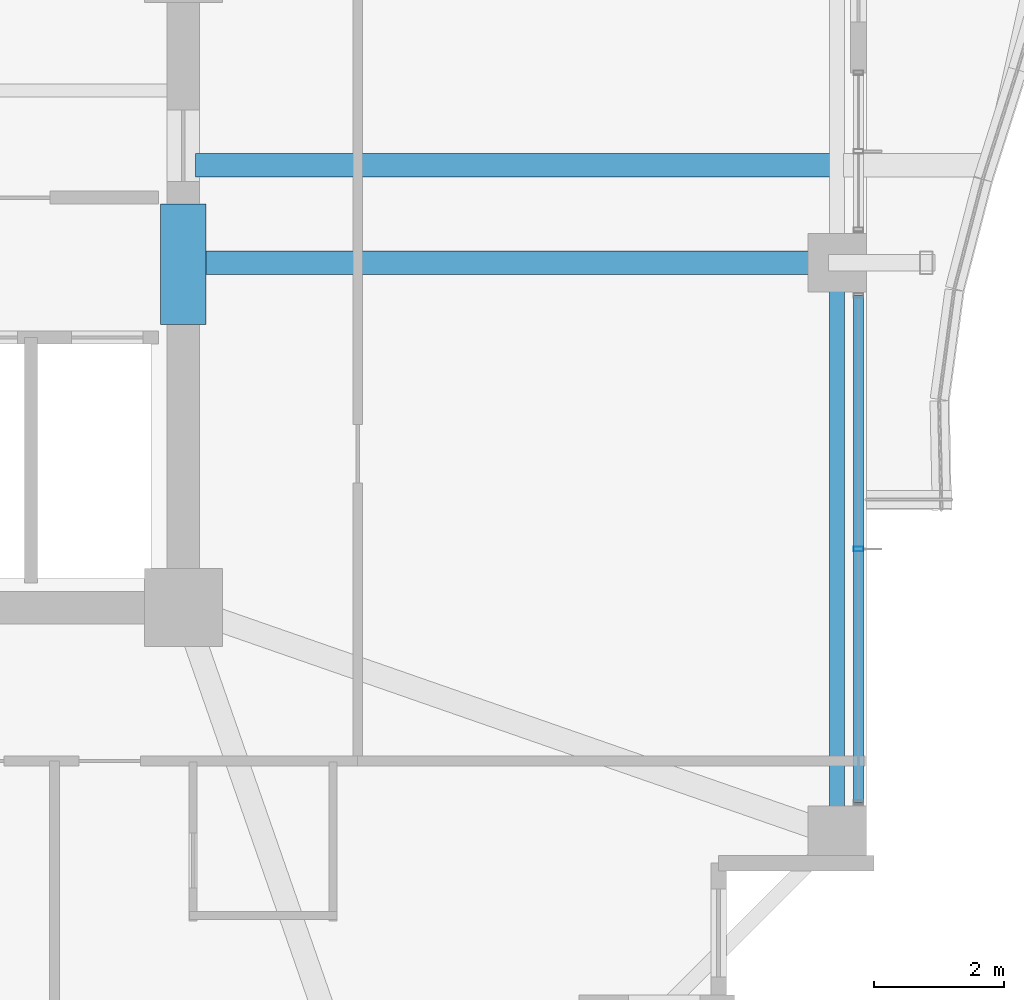
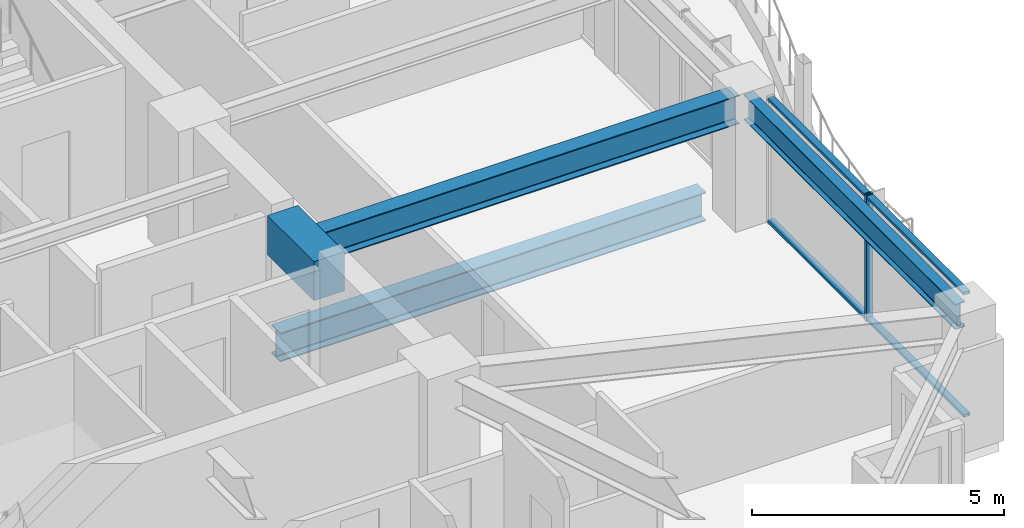
# One storey, part 12 of 35: 4 beams, 3 members, 1 element without a shape of its own.
"""IFC4 building model written with IfcOpenShell, lengths in metres."""

import ifcopenshell
import ifcopenshell.guid

model = None  # the IFC model being written
_history = None  # IfcOwnerHistory: only IFC2X3 demands one
_inside = {}  # id of a spatial element -> (the spatial element, [elements in it])
_under = {}  # id of a project, library or spatial element -> (it, [spatial elements below it])
_declared = {}  # id of a project -> (the project, [libraries it declares])
_typed = {}  # id of a type object -> (the type object, [elements of that type])
_made_of = {}  # id of a material, layer set ... -> (it, [elements and type objects made of it])


def new_model(schema):
    """Start an empty IFC model of exactly this schema.

    Asked for "IFC4X3", IfcOpenShell would pick the latest addendum, in which some entities
    have other attributes; the version numbers below select the first issue.
    IFC2X3 requires an IfcOwnerHistory on every rooted entity: one is made here for all.
    """
    global model, _history
    if schema == "IFC4X3":
        model = ifcopenshell.file(schema_version=(4, 3, 0, 0))
    else:
        model = ifcopenshell.file(schema=schema)
    _inside.clear()
    _under.clear()
    _declared.clear()
    _typed.clear()
    _made_of.clear()
    _history = None
    if model.schema == "IFC2X3":
        org = make("IfcOrganization", Name="unknown")
        user = make(
            "IfcPersonAndOrganization",
            ThePerson=make("IfcPerson", FamilyName="unknown"),
            TheOrganization=org,
        )
        app = make(
            "IfcApplication",
            ApplicationDeveloper=org,
            Version="unknown",
            ApplicationFullName="unknown",
            ApplicationIdentifier="unknown",
        )
        _history = make(
            "IfcOwnerHistory",
            OwningUser=user,
            OwningApplication=app,
            ChangeAction="ADDED",
            CreationDate=0,
        )
    return model


def make(cls, **values):
    """One entity of the class cls with the attributes given. An attribute that is None is left unset."""
    return model.create_entity(
        cls, **{name: value for name, value in values.items() if value is not None}
    )


def rooted(cls, **values):
    """An entity with a GlobalId (a new one), such as an element, a storey or a relation."""
    return make(cls, GlobalId=ifcopenshell.guid.new(), OwnerHistory=_history, **values)


def si_unit(unit_type, name, prefix=None):
    """IfcSIUnit, for example si_unit("LENGTHUNIT", "METRE", prefix="MILLI")."""
    return make("IfcSIUnit", UnitType=unit_type, Prefix=prefix, Name=name)


def assignment(units):
    """IfcUnitAssignment: the units of a project."""
    return None if units is None else make("IfcUnitAssignment", Units=units)


def point(xyz):
    """IfcCartesianPoint."""
    return None if xyz is None else make("IfcCartesianPoint", Coordinates=xyz)


def direction(xyz):
    """IfcDirection."""
    return None if xyz is None else make("IfcDirection", DirectionRatios=xyz)


def frame(location, z_axis=None, x_axis=None):
    """IfcAxis2Placement3D, a coordinate frame: its origin and axes. An axis left out is left unset."""
    return make(
        "IfcAxis2Placement3D",
        Location=point(location),
        Axis=direction(z_axis),
        RefDirection=direction(x_axis),
    )


def frame_2d(location, x_axis=None):
    """IfcAxis2Placement2D, a coordinate frame in the plane: its origin and x axis."""
    return make(
        "IfcAxis2Placement2D", Location=point(location), RefDirection=direction(x_axis)
    )


def origin():
    """The frame at (0, 0, 0) with its axes left unset."""
    return frame((0.0, 0.0, 0.0))


def origin_2d():
    """The frame at (0, 0) in the plane with its x axis left unset."""
    return frame_2d((0.0, 0.0))


def place(relative_to, where):
    """IfcLocalPlacement: puts the frame where relative to a parent placement (None: the world)."""
    return make(
        "IfcLocalPlacement", PlacementRelTo=relative_to, RelativePlacement=where
    )


def context(
    kind, dimensions, precision=None, world=None, true_north=None, identifier=None
):
    """IfcGeometricRepresentationContext, for example the 3D "Model" context."""
    return make(
        "IfcGeometricRepresentationContext",
        ContextIdentifier=identifier,
        ContextType=kind,
        CoordinateSpaceDimension=dimensions,
        Precision=precision,
        WorldCoordinateSystem=world,
        TrueNorth=true_north,
    )


def subcontext(parent, identifier, kind, view, scale=None):
    """IfcGeometricRepresentationSubContext, for example "Body" below "Model"."""
    return make(
        "IfcGeometricRepresentationSubContext",
        ContextIdentifier=identifier,
        ContextType=kind,
        ParentContext=parent,
        TargetScale=scale,
        TargetView=view,
    )


def project(units=None, contexts=None):
    """IfcProject with its units and contexts."""
    return rooted(
        "IfcProject",
        Name="project",
        RepresentationContexts=contexts,
        UnitsInContext=assignment(units),
    )


def spatial(cls, under=None, at=None, **own):
    """A site, building, storey or space (cls), placed at a placement, below another one or the project."""
    s = rooted(cls, ObjectPlacement=at, **own)
    if under is not None:
        _under.setdefault(under.id(), (under, []))[1].append(s)
    return s


def profile(cls, at=None, kind="AREA", **sizes):
    """A parametric profile (cls). Its sizes go by their IFC names, for example OverallWidth=200.0."""
    return make(cls, ProfileType=kind, Position=at, **sizes)


def rectangle(**sizes):
    """IfcRectangleProfileDef."""
    return profile("IfcRectangleProfileDef", **sizes)


def hollow_rectangle(**sizes):
    """IfcRectangleHollowProfileDef."""
    return profile("IfcRectangleHollowProfileDef", **sizes)


def i_section(**sizes):
    """IfcIShapeProfileDef."""
    return profile("IfcIShapeProfileDef", **sizes)


def extrude(swept, where, along, depth):
    """IfcExtrudedAreaSolid: the profile swept, set in the frame where, extruded along a direction by depth."""
    return make(
        "IfcExtrudedAreaSolid",
        SweptArea=swept,
        Position=where,
        ExtrudedDirection=direction(along),
        Depth=depth,
    )


def shape(context_of_items, identifier, shape_type, items):
    """IfcShapeRepresentation: the items that make up one representation, for example the "Body"."""
    return make(
        "IfcShapeRepresentation",
        ContextOfItems=context_of_items,
        RepresentationIdentifier=identifier,
        RepresentationType=shape_type,
        Items=items,
    )


def material(Name=None, Category=None):
    """IfcMaterial."""
    return make("IfcMaterial", Name=Name, Category=Category)


def material_profile(
    of_material, cross_section, Name=None, Category=None, Priority=None
):
    """IfcMaterialProfile: a cross section and its material."""
    return make(
        "IfcMaterialProfile",
        Name=Name,
        Material=of_material,
        Profile=cross_section,
        Priority=Priority,
        Category=Category,
    )


def profile_set(profiles, Name=None, composite=None):
    """IfcMaterialProfileSet."""
    return make(
        "IfcMaterialProfileSet",
        Name=Name,
        MaterialProfiles=profiles,
        CompositeProfile=composite,
    )


def made_of(thing, what):
    """Note that an element or type object is made of a material, layer set ...; save() writes the relation."""
    if what is not None:
        _made_of.setdefault(what.id(), (what, []))[1].append(thing)
    return thing


def type_object(cls, material=None, **own):
    """A type object (cls), such as IfcWallType, which elements share."""
    return made_of(rooted(cls, **own), material)


def element(
    cls,
    number,
    at=None,
    inside=None,
    cuts=None,
    type_object=None,
    material=None,
    context=None,
    identifier="Body",
    shape_type=None,
    held_by="IfcProductDefinitionShape",
    body=None,
    shapes=None,
    **own,
):
    """One element of the class cls, such as IfcWall. Its Tag is "e" and its number.

    at: its placement. inside: the storey or other place that contains it. cuts: it is an
    opening in that element (IfcRelVoidsElement). A single representation is given by context,
    identifier, shape_type and body (its items); several are given by shapes. held_by: the class
    of the entity that holds the representations. save() writes the other relations.
    """
    e = rooted(cls, Tag="e%d" % number, ObjectPlacement=at, **own)
    if body is not None:
        shapes = [shape(context, identifier, shape_type, body)]
    if shapes is not None:
        e.Representation = make(held_by, Representations=shapes)
    if inside is not None:
        _inside.setdefault(inside.id(), (inside, []))[1].append(e)
    if cuts is not None:
        rooted(
            "IfcRelVoidsElement", RelatingBuildingElement=cuts, RelatedOpeningElement=e
        )
    if type_object is not None:
        _typed.setdefault(type_object.id(), (type_object, []))[1].append(e)
    return made_of(e, material)


def aggregate(whole, parts):
    """IfcRelAggregates: a whole, such as a stair, and the parts it consists of."""
    return rooted("IfcRelAggregates", RelatingObject=whole, RelatedObjects=parts)


def save(model, path):
    """Write the relations noted so far, then the file.

    IfcRelAggregates (storeys below a building ...), IfcRelContainedInSpatialStructure (elements
    in a storey), IfcRelDefinesByType, IfcRelAssociatesMaterial and IfcRelDeclares: one each for
    every whole, place, type object, material and project.
    """
    for whole, parts in _under.values():
        aggregate(whole, parts)
    for where, things in _inside.values():
        rooted(
            "IfcRelContainedInSpatialStructure",
            RelatedElements=things,
            RelatingStructure=where,
        )
    for kind, things in _typed.values():
        rooted("IfcRelDefinesByType", RelatedObjects=things, RelatingType=kind)
    for what, things in _made_of.values():
        rooted("IfcRelAssociatesMaterial", RelatedObjects=things, RelatingMaterial=what)
    for by, libraries in _declared.values():
        rooted("IfcRelDeclares", RelatingContext=by, RelatedDefinitions=libraries)
    model.write(path)


model = new_model("IFC4")

# Units and contexts
model_context = context("Model", 3, precision=1e-05, world=origin(), true_north=direction((0.0, 1.0)))
body_context = subcontext(model_context, "Body", "Model", "MODEL_VIEW")
ifc_project = project(units=[si_unit("LENGTHUNIT", "METRE"), si_unit("AREAUNIT", "SQUARE_METRE"), si_unit("VOLUMEUNIT", "CUBIC_METRE"), si_unit("PLANEANGLEUNIT", "RADIAN"), si_unit("MASSUNIT", "GRAM", prefix="KILO")], contexts=[model_context])

# Site, building, storey
site_placement = place(None, origin())
site = spatial("IfcSite", under=ifc_project, at=site_placement, CompositionType="ELEMENT")
building_placement = place(site_placement, origin())
building = spatial("IfcBuilding", under=site, at=building_placement, Name="Kolvaren Belvedere", CompositionType="ELEMENT")
storey_placement = place(building_placement, frame((0.0, 0.0, 176.699951171875)))
storey = spatial("IfcBuildingStorey", under=building, at=storey_placement, Name="L51", CompositionType="ELEMENT", Elevation=176.699951171875)

# Beams
ifc_material_1 = material(Name="Structural steel ASTM A992 Grade 50", Category="steel")
ifc_material_profile_1 = material_profile(ifc_material_1, i_section(OverallWidth=0.35498046875, OverallDepth=0.696044921875, WebThickness=0.015380859375, FlangeThickness=0.02490234375, FilletRadius=0.02197265625, at=origin_2d()), Name="W27X146")
ifc_profile_set_1 = profile_set([ifc_material_profile_1], Name="Structural steel ASTM A992 Grade 50")
beam_type_1 = type_object("IfcBeamType", Name="BM-GIRD-W27X146", PredefinedType="BEAM", material=ifc_profile_set_1)
beam_1_placement = place(storey_placement, frame((10.090087890625, -3.10009765625, -0.56787109375), z_axis=(1.0, 0.0, 0.0), x_axis=(0.0, 1.0, 0.0)))
element("IfcBeam", 1, at=beam_1_placement, inside=storey, type_object=beam_type_1, Name="L51 Balcony Interior Back-Span Girder BAL-E-1", PredefinedType="BEAM", context=body_context, shape_type="SweptSolid", body=[
    extrude(i_section(OverallWidth=0.35498046875, OverallDepth=0.696044921875, WebThickness=0.015380859375, FlangeThickness=0.02490234375, FilletRadius=0.02197265625, at=origin_2d()), origin(), (0.0, 0.0, 1.0), 9.764892578125),
])
beam_2_placement = place(storey_placement, frame((10.14990234375, -4.60009765625, 2.73193359375), z_axis=(1.0, 0.0, 0.0), x_axis=(0.0, 1.0, 0.0)))
element("IfcBeam", 2, at=beam_2_placement, inside=storey, type_object=beam_type_1, Name="L51 East Radial Girder M", PredefinedType="BEAM", context=body_context, shape_type="SweptSolid", body=[
    extrude(i_section(OverallWidth=0.35498046875, OverallDepth=0.696044921875, WebThickness=0.015380859375, FlangeThickness=0.02490234375, FilletRadius=0.02197265625, at=origin_2d()), origin(), (0.0, 0.0, 1.0), 9.59765625),
])
ifc_material_2 = material(Name="Concrete C60/75", Category="concrete")
ifc_material_profile_2 = material_profile(ifc_material_2, rectangle(XDim=0.699951171875, YDim=0.949951171875, at=origin_2d()), Name="RC 700X950")
ifc_profile_set_2 = profile_set([ifc_material_profile_2], Name="Concrete C60/75")
beam_type_2 = type_object("IfcBeamType", Name="BM-LINT-950", PredefinedType="LINTEL", material=ifc_profile_set_2)
beam_3_placement = place(storey_placement, frame((9.89990234375, -5.550048828125, 2.60498046875), z_axis=(0.0, 1.0, 0.0), x_axis=(-1.0, 0.0, 0.0)))
element("IfcBeam", 3, at=beam_3_placement, inside=storey, type_object=beam_type_2, Name="L51 East Core Coupling Lintel", PredefinedType="LINTEL", context=body_context, shape_type="SweptSolid", body=[
    extrude(rectangle(XDim=0.699951171875, YDim=0.949951171875, at=origin_2d()), origin(), (0.0, 0.0, 1.0), 1.85009765625),
])
ifc_material_3 = material(Name="Structural steel ASTM A992 Grade 50", Category="steel")
ifc_material_profile_3 = material_profile(ifc_material_3, i_section(OverallWidth=0.22900390625, OverallDepth=0.612060546875, WebThickness=0.011962890625, FlangeThickness=0.01953125, FilletRadius=0.01806640625, at=origin_2d()), Name="W24X84")
ifc_profile_set_3 = profile_set([ifc_material_profile_3], Name="Structural steel ASTM A992 Grade 50")
beam_type_3 = type_object("IfcBeamType", Name="BM-SPAN-W24X84", PredefinedType="SPANDREL", material=ifc_profile_set_3)
beam_4_placement = place(storey_placement, frame((19.949951171875, -13.197509765625, 2.774169921875), z_axis=(0.0, 1.0, 0.0), x_axis=(-1.0, 0.0, 0.0)))
element("IfcBeam", 4, at=beam_4_placement, inside=storey, type_object=beam_type_3, Name="L51 Perimeter Spandrel E1-E2", PredefinedType="SPANDREL", context=body_context, shape_type="SweptSolid", body=[
    extrude(i_section(OverallWidth=0.22900390625, OverallDepth=0.612060546875, WebThickness=0.011962890625, FlangeThickness=0.01953125, FilletRadius=0.01806640625, at=origin_2d()), origin(), (0.0, 0.0, 1.0), 8.39501953125),
])

# Curtain wall, members
ifc_material_4 = material(Name="Anodised pale-metal aluminium AA 6063-T6", Category="aluminium")
curtain_wall_type = type_object("IfcCurtainWallType", Name="CW-Z5-HIGH", PredefinedType="NOTDEFINED", material=ifc_material_4)
curtain_wall_placement = place(storey_placement, origin())
curtain_wall = element("IfcCurtainWall", 5, at=curtain_wall_placement, inside=storey, type_object=curtain_wall_type, Name="L51 Unitised Curtain Wall FCW-L51-E2-B2", PredefinedType="NOTDEFINED")
ifc_material_5 = material(Name="Anodised pale-metal aluminium AA 6063-T6", Category="aluminium")
ifc_material_profile_4 = material_profile(ifc_material_5, hollow_rectangle(XDim=0.070068359375, YDim=0.14990234375, WallThickness=0.004150390625, at=origin_2d()), Name="ALU-MUL-150X70")
ifc_profile_set_4 = profile_set([ifc_material_profile_4], Name="Anodised pale-metal aluminium AA 6063-T6")
member_type_1 = type_object("IfcMemberType", Name="CW-MUL-150", PredefinedType="MULLION", material=ifc_profile_set_4)
member_1_placement = place(storey_placement, frame((20.280029296875, -9.0, 0.0), z_axis=(0.0, 0.0, 1.0), x_axis=(0.0, 1.0, 0.0)))
member_1 = element("IfcMember", 6, at=member_1_placement, type_object=member_type_1, Name="FCW-L51-E2-B2 Unitised Mullion 2", PredefinedType="MULLION", context=body_context, shape_type="SweptSolid", body=[
    extrude(hollow_rectangle(XDim=0.070068359375, YDim=0.14990234375, WallThickness=0.004150390625, at=origin_2d()), origin(), (0.0, 0.0, 1.0), 3.080078125),
])
ifc_material_6 = material(Name="Anodised pale-metal aluminium AA 6063-T6", Category="aluminium")
ifc_material_profile_5 = material_profile(ifc_material_6, hollow_rectangle(XDim=0.06494140625, YDim=0.14990234375, WallThickness=0.00390625, at=origin_2d()), Name="ALU-TRN-150X65")
ifc_profile_set_5 = profile_set([ifc_material_profile_5], Name="Anodised pale-metal aluminium AA 6063-T6")
member_type_2 = type_object("IfcMemberType", Name="CW-TRN-150", PredefinedType="USERDEFINED", material=ifc_profile_set_5)
member_2_placement = place(storey_placement, frame((20.280029296875, -5.10498046875, 0.06005859375), z_axis=(0.0, -1.0, 0.0), x_axis=(0.0, 0.0, 1.0)))
member_2 = element("IfcMember", 7, at=member_2_placement, type_object=member_type_2, Name="FCW-L51-E2-B2 Sill Transom", ObjectType="TRANSOM", PredefinedType="USERDEFINED", context=body_context, shape_type="SweptSolid", body=[
    extrude(hollow_rectangle(XDim=0.06494140625, YDim=0.14990234375, WallThickness=0.00390625, at=origin_2d()), origin(), (0.0, 0.0, 1.0), 7.7900390625),
])
member_3_placement = place(storey_placement, frame((20.280029296875, -5.10498046875, 3.02001953125), z_axis=(0.0, -1.0, 0.0), x_axis=(0.0, 0.0, 1.0)))
member_3 = element("IfcMember", 8, at=member_3_placement, type_object=member_type_2, Name="FCW-L51-E2-B2 Head Transom", ObjectType="TRANSOM", PredefinedType="USERDEFINED", context=body_context, shape_type="SweptSolid", body=[
    extrude(hollow_rectangle(XDim=0.06494140625, YDim=0.14990234375, WallThickness=0.00390625, at=origin_2d()), origin(), (0.0, 0.0, 1.0), 7.7900390625),
])
aggregate(curtain_wall, [member_1, member_2, member_3])

save(model, "model.ifc")
